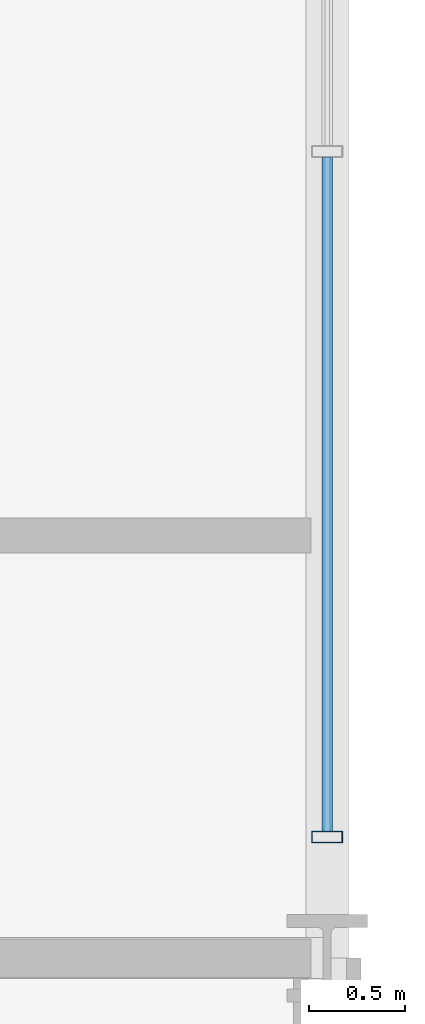
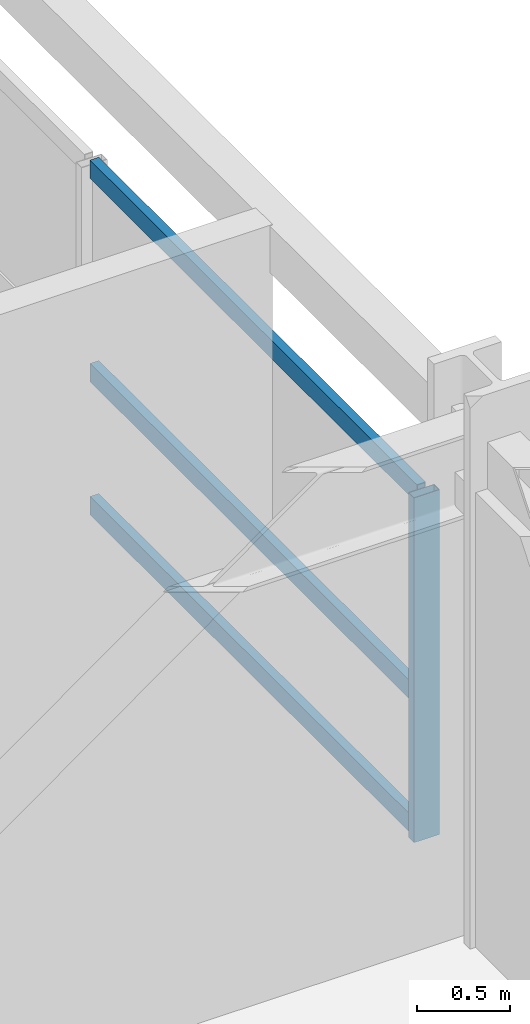
# One storey, part 14 of 26: 4 members, 1 element without a shape of its own.
"""IFC4 building model written with IfcOpenShell, lengths in metres."""

from ifc_helpers import new_model, si_unit, direction, frame, origin, origin_2d, place, context, subcontext, project, spatial, hollow_rectangle, extrude, material, material_profile, profile_set, type_object, element, aggregate, save


model = new_model("IFC4")

# Units and contexts
model_context = context("Model", 3, precision=1e-05, world=origin(), true_north=direction((0.0, 1.0)))
body_context = subcontext(model_context, "Body", "Model", "MODEL_VIEW")
ifc_project = project(units=[si_unit("LENGTHUNIT", "METRE"), si_unit("AREAUNIT", "SQUARE_METRE"), si_unit("VOLUMEUNIT", "CUBIC_METRE"), si_unit("PLANEANGLEUNIT", "RADIAN"), si_unit("MASSUNIT", "GRAM", prefix="KILO")], contexts=[model_context])

# Site, building, storey
site_placement = place(None, origin())
site = spatial("IfcSite", under=ifc_project, at=site_placement, CompositionType="ELEMENT")
building_placement = place(site_placement, origin())
building = spatial("IfcBuilding", under=site, at=building_placement, Name="Kaldorvane Square Convention Centre", CompositionType="ELEMENT")
storey_placement = place(building_placement, frame((0.0, 0.0, 45.600006103515625)))
storey = spatial("IfcBuildingStorey", under=building, at=storey_placement, Name="L10", CompositionType="ELEMENT", Elevation=45.600006103515625)

# Curtain wall, members
ifc_material = material(Name="Anodized Aluminum and Low-E Insulated Glazing", Category="aluminium")
curtain_wall_type = type_object("IfcCurtainWallType", Name="CW-UNI-HTL-A", PredefinedType="USERDEFINED", material=ifc_material)
curtain_wall_placement = place(storey_placement, origin())
curtain_wall = element("IfcCurtainWall", 1, at=curtain_wall_placement, inside=storey, type_object=curtain_wall_type, Name="Curtain Wall CW-10 (L10)", ObjectType="UNITISED GLAZING", PredefinedType="USERDEFINED")
ifc_material_profile_1 = material_profile(ifc_material, hollow_rectangle(XDim=0.05999755859375, YDim=0.160003662109375, WallThickness=0.003204345703125, at=origin_2d()), Name="CWM-160X60")
ifc_profile_set_1 = profile_set([ifc_material_profile_1], Name="Anodized Aluminum and Low-E Insulated Glazing")
member_type_1 = type_object("IfcMemberType", Name="CW-MUL-160", PredefinedType="MULLION", material=ifc_profile_set_1)
member_1_placement = place(storey_placement, frame((84.0, 105.6300048828125, 0.149993896484375), z_axis=(0.0, 0.0, 1.0), x_axis=(0.0, 1.0, 0.0)))
member_1 = element("IfcMember", 2, at=member_1_placement, type_object=member_type_1, Name="CW-10 mullion 1", PredefinedType="MULLION", context=body_context, shape_type="SweptSolid", body=[
    extrude(hollow_rectangle(XDim=0.05999755859375, YDim=0.160003662109375, WallThickness=0.003204345703125, at=origin_2d()), origin(), (0.0, 0.0, 1.0), 2.2599945068359375),
])
ifc_material_profile_2 = material_profile(ifc_material, hollow_rectangle(XDim=0.05499267578125, YDim=0.1199951171875, WallThickness=0.0030059814453125, at=origin_2d()), Name="CWT-120X55")
ifc_profile_set_2 = profile_set([ifc_material_profile_2], Name="Anodized Aluminum and Low-E Insulated Glazing")
member_type_2 = type_object("IfcMemberType", Name="CW-TRN-120", PredefinedType="USERDEFINED", material=ifc_profile_set_2)
member_2_placement = place(storey_placement, frame((84.0, 105.66000366210938, 0.177490234375), z_axis=(0.0, 1.0, 0.0), x_axis=(-1.0, 0.0, 0.0)))
member_2 = element("IfcMember", 3, at=member_2_placement, type_object=member_type_2, Name="CW-10 transom 1.1", ObjectType="TRANSOM", PredefinedType="USERDEFINED", context=body_context, shape_type="SweptSolid", body=[
    extrude(hollow_rectangle(XDim=0.05499267578125, YDim=0.1199951171875, WallThickness=0.0030059814453125, at=origin_2d()), origin(), (0.0, 0.0, 1.0), 3.5099945068359375),
])
member_3_placement = place(storey_placement, frame((84.0, 105.66000366210938, 1.04998779296875), z_axis=(0.0, 1.0, 0.0), x_axis=(-1.0, 0.0, 0.0)))
member_3 = element("IfcMember", 4, at=member_3_placement, type_object=member_type_2, Name="CW-10 transom 1.2", ObjectType="TRANSOM", PredefinedType="USERDEFINED", context=body_context, shape_type="SweptSolid", body=[
    extrude(hollow_rectangle(XDim=0.05499267578125, YDim=0.1199951171875, WallThickness=0.0030059814453125, at=origin_2d()), origin(), (0.0, 0.0, 1.0), 3.5099945068359375),
])
member_4_placement = place(storey_placement, frame((84.0, 105.66000366210938, 2.3824920654296875), z_axis=(0.0, 1.0, 0.0), x_axis=(-1.0, 0.0, 0.0)))
member_4 = element("IfcMember", 5, at=member_4_placement, type_object=member_type_2, Name="CW-10 transom 1.3", ObjectType="TRANSOM", PredefinedType="USERDEFINED", context=body_context, shape_type="SweptSolid", body=[
    extrude(hollow_rectangle(XDim=0.05499267578125, YDim=0.1199951171875, WallThickness=0.0030059814453125, at=origin_2d()), origin(), (0.0, 0.0, 1.0), 3.5099945068359375),
])
aggregate(curtain_wall, [member_1, member_2, member_3, member_4])

save(model, "model.ifc")
